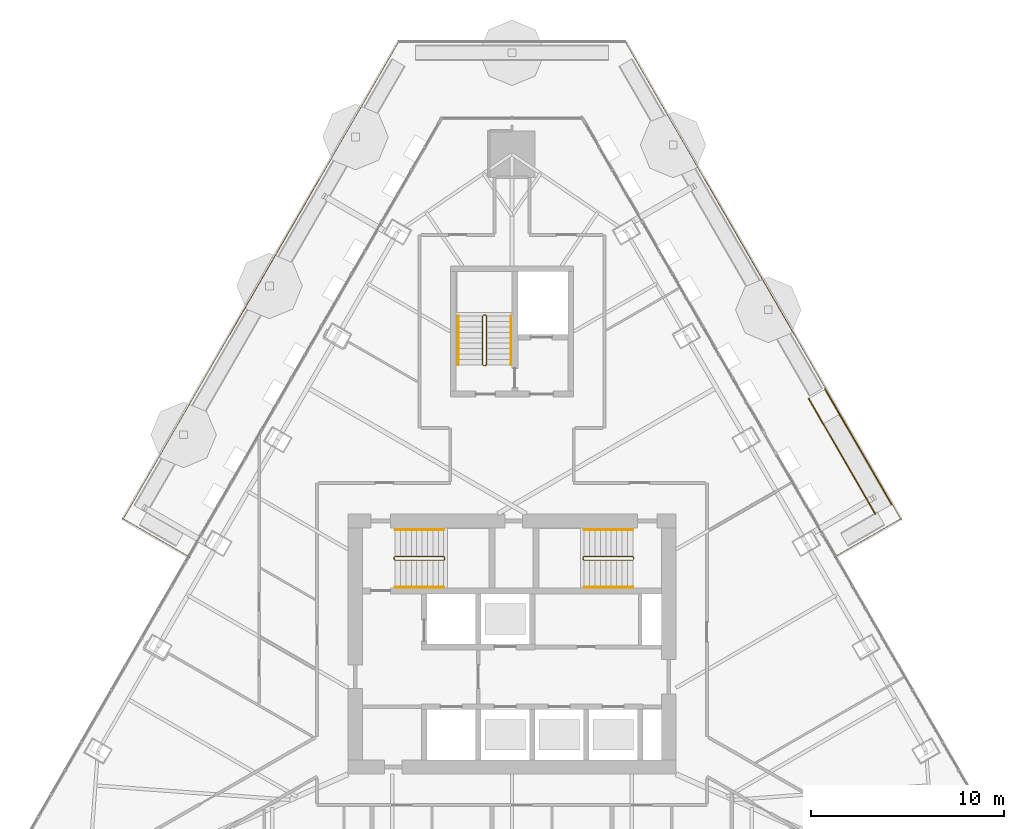
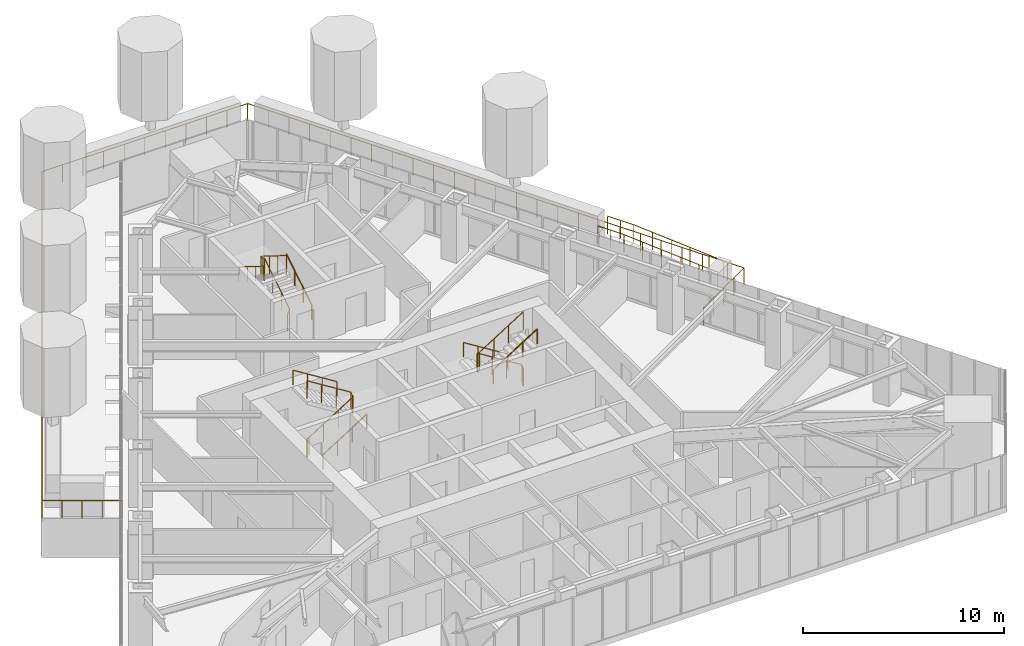
# One storey, part 20 of 22: 12 railings.
"""IFC4 building model written with IfcOpenShell, lengths in metres."""

from ifc_helpers import new_model, si_unit, direction, frame, origin, origin_2d, place, context, subcontext, project, spatial, circle, extrude, material, type_object, element, save


model = new_model("IFC4")

# Units and contexts
model_context = context("Model", 3, precision=1e-05, world=origin(), true_north=direction((0.0, 1.0)))
body_context = subcontext(model_context, "Body", "Model", "MODEL_VIEW")
ifc_project = project(units=[si_unit("LENGTHUNIT", "METRE"), si_unit("AREAUNIT", "SQUARE_METRE"), si_unit("VOLUMEUNIT", "CUBIC_METRE"), si_unit("PLANEANGLEUNIT", "RADIAN"), si_unit("MASSUNIT", "GRAM", prefix="KILO")], contexts=[model_context])

# Site, building, storey
site_placement = place(None, origin())
site = spatial("IfcSite", under=ifc_project, at=site_placement, CompositionType="ELEMENT")
building_placement = place(site_placement, origin())
building = spatial("IfcBuilding", under=site, at=building_placement, Name="Firuza Gate Tower and Library", CompositionType="ELEMENT")
storey_placement = place(building_placement, frame((0.0, 0.0, 295.10009765625)))
storey = spatial("IfcBuildingStorey", under=building, at=storey_placement, Name="L71", CompositionType="ELEMENT", Elevation=295.10009765625)

# Railings
ifc_material_1 = material(Name="Steel S355", Category="steel")
railing_type_1 = type_object("IfcRailingType", Name="Garden ramp guard 1100", PredefinedType="GUARDRAIL", material=ifc_material_1)
for number, where, name in (
    (1, (93.82568359375, 81.737548828125, 0.0498046875), "Ramp guard"),
    (2, (94.674560546875, 82.2275390625, 0.0498046875), "Ramp guard"),
):
    element("IfcRailing", number, at=place(storey_placement, frame(where)), inside=storey, type_object=railing_type_1, Name=name, PredefinedType="GUARDRAIL", context=body_context, shape_type="SweptSolid", body=[
        extrude(circle(Radius=0.02392578125, at=origin_2d()), frame((0.0, 0.0, 1.076171875), z_axis=(-0.49862797474, 0.863660263689, 0.073899199801), x_axis=(-0.866028230842, -0.499995103361, 0.0)), (0.0, 0.0, 1.0), 5.414794921875),
        extrude(circle(Radius=0.02392578125, at=origin_2d()), frame((-2.699951171875, 4.676513671875, 1.47607421875), z_axis=(-0.499990139034, 0.866031096941, 0.0), x_axis=(-0.866031096941, -0.499990139034, 0.0)), (0.0, 0.0, 1.0), 1.5),
        extrude(circle(Radius=0.02099609375, at=origin_2d()), origin(), (0.0, 0.0, 1.0), 1.052001953125),
        extrude(circle(Radius=0.02099609375, at=origin_2d()), frame((-0.5400390625, 0.935302734375, 0.080078125)), (0.0, 0.0, 1.0), 1.052001953125),
        extrude(circle(Radius=0.02099609375, at=origin_2d()), frame((-1.080078125, 1.87060546875, 0.16015625)), (0.0, 0.0, 1.0), 1.052001953125),
        extrude(circle(Radius=0.02099609375, at=origin_2d()), frame((-1.619873046875, 2.805908203125, 0.239990234375)), (0.0, 0.0, 1.0), 1.052001953125),
        extrude(circle(Radius=0.02099609375, at=origin_2d()), frame((-2.159912109375, 3.7412109375, 0.320068359375)), (0.0, 0.0, 1.0), 1.052001953125),
        extrude(circle(Radius=0.02099609375, at=origin_2d()), frame((-2.699951171875, 4.676513671875, 0.400146484375)), (0.0, 0.0, 1.0), 1.052001953125),
        extrude(circle(Radius=0.02099609375, at=origin_2d()), frame((-3.074951171875, 5.326171875, 0.400146484375)), (0.0, 0.0, 1.0), 1.052001953125),
        extrude(circle(Radius=0.02099609375, at=origin_2d()), frame((-3.449951171875, 5.9755859375, 0.400146484375)), (0.0, 0.0, 1.0), 1.052001953125),
    ])
ifc_material_2 = material(Name="Steel S355", Category="steel")
railing_type_2 = type_object("IfcRailingType", Name="Stair guard 1100", PredefinedType="GUARDRAIL", material=ifc_material_2)
railing_1_placement = place(storey_placement, frame((68.889892578125, 79.389892578125, 0.0)))
element("IfcRailing", 3, at=railing_1_placement, inside=storey, type_object=railing_type_2, Name="L71 ST1 stair guard 1", PredefinedType="GUARDRAIL", context=body_context, shape_type="SweptSolid", body=[
    extrude(circle(Radius=0.02392578125, at=origin_2d()), frame((0.0, 0.0, 1.076171875), z_axis=(0.0, 1.0, 0.0), x_axis=(-1.0, 0.0, 0.0)), (0.0, 0.0, 1.0), 0.10009765625),
    extrude(circle(Radius=0.02392578125, at=origin_2d()), frame((0.0, 0.10009765625, 1.076171875), z_axis=(0.212383695785, -0.636115069328, 0.741788908207), x_axis=(0.948528701346, 0.316691178788, 0.0)), (0.0, 0.0, 1.0), 0.235595703125),
    extrude(circle(Radius=0.02392578125, at=origin_2d()), frame((0.050048828125, -0.0498046875, 1.2509765625), z_axis=(0.847970611238, 0.0, 0.530043245855), x_axis=(0.0, 1.0, 0.0)), (0.0, 0.0, 1.0), 2.971923828125),
    extrude(circle(Radius=0.02392578125, at=origin_2d()), frame((2.570068359375, -0.0498046875, 2.826171875), z_axis=(0.708833529934, 0.705375805398, 0.0), x_axis=(-0.705375805398, 0.708833529934, 0.0)), (0.0, 0.0, 1.0), 0.070556640625),
    extrude(circle(Radius=0.02392578125, at=origin_2d()), frame((2.6201171875, 0.0, 2.826171875), z_axis=(0.0, 1.0, 0.0), x_axis=(-1.0, 0.0, 0.0)), (0.0, 0.0, 1.0), 0.10009765625),
    extrude(circle(Radius=0.02392578125, at=origin_2d()), frame((2.6201171875, 0.10009765625, 2.826171875), z_axis=(-0.265383341853, 0.265383341853, 0.926899867156), x_axis=(-0.707106781187, -0.707106781187, 0.0)), (0.0, 0.0, 1.0), 0.1884765625),
    extrude(circle(Radius=0.02392578125, at=origin_2d()), frame((2.570068359375, 0.150146484375, 3.0009765625), z_axis=(-0.847970611238, 0.0, 0.530043245855), x_axis=(0.0, -1.0, 0.0)), (0.0, 0.0, 1.0), 2.971923828125),
    extrude(circle(Radius=0.02099609375, at=origin_2d()), origin(), (0.0, 0.0, 1.0), 1.052001953125),
    extrude(circle(Radius=0.02099609375, at=origin_2d()), frame((0.0, 0.10009765625, 0.0)), (0.0, 0.0, 1.0), 1.052001953125),
    extrude(circle(Radius=0.02099609375, at=origin_2d()), frame((0.050048828125, -0.0498046875, 0.1748046875)), (0.0, 0.0, 1.0), 1.052001953125),
    extrude(circle(Radius=0.02099609375, at=origin_2d()), frame((0.89013671875, -0.0498046875, 0.699951171875)), (0.0, 0.0, 1.0), 1.052001953125),
    extrude(circle(Radius=0.02099609375, at=origin_2d()), frame((1.72998046875, -0.0498046875, 1.224853515625)), (0.0, 0.0, 1.0), 1.052001953125),
    extrude(circle(Radius=0.02099609375, at=origin_2d()), frame((2.570068359375, -0.0498046875, 1.75)), (0.0, 0.0, 1.0), 1.052001953125),
    extrude(circle(Radius=0.02099609375, at=origin_2d()), frame((2.6201171875, 0.0, 1.75)), (0.0, 0.0, 1.0), 1.052001953125),
    extrude(circle(Radius=0.02099609375, at=origin_2d()), frame((2.6201171875, 0.10009765625, 1.75)), (0.0, 0.0, 1.0), 1.052001953125),
    extrude(circle(Radius=0.02099609375, at=origin_2d()), frame((2.570068359375, 0.150146484375, 1.9248046875)), (0.0, 0.0, 1.0), 1.052001953125),
    extrude(circle(Radius=0.02099609375, at=origin_2d()), frame((1.72998046875, 0.150146484375, 2.449951171875)), (0.0, 0.0, 1.0), 1.052001953125),
    extrude(circle(Radius=0.02099609375, at=origin_2d()), frame((0.89013671875, 0.150146484375, 2.974853515625)), (0.0, 0.0, 1.0), 1.052001953125),
    extrude(circle(Radius=0.02099609375, at=origin_2d()), frame((0.050048828125, 0.150146484375, 3.5)), (0.0, 0.0, 1.0), 1.052001953125),
])
railing_2_placement = place(storey_placement, frame((81.31005859375, 79.489990234375, 0.0)))
element("IfcRailing", 4, at=railing_2_placement, inside=storey, type_object=railing_type_2, Name="L71 ST2 stair guard 1", PredefinedType="GUARDRAIL", context=body_context, shape_type="SweptSolid", body=[
    extrude(circle(Radius=0.02392578125, at=origin_2d()), frame((0.0, 0.0, 1.076171875), z_axis=(0.0, -1.0, 0.0), x_axis=(1.0, 0.0, 0.0)), (0.0, 0.0, 1.0), 0.10009765625),
    extrude(circle(Radius=0.02392578125, at=origin_2d()), frame((0.0, -0.10009765625, 1.076171875), z_axis=(-0.21224375372, 0.63673126116, 0.741300134944), x_axis=(-0.948683298051, -0.316227766017, 0.0)), (0.0, 0.0, 1.0), 0.23583984375),
    extrude(circle(Radius=0.02392578125, at=origin_2d()), frame((-0.050048828125, 0.050048828125, 1.2509765625), z_axis=(-0.847970611238, 0.0, 0.530043245855), x_axis=(0.0, -1.0, 0.0)), (0.0, 0.0, 1.0), 2.971923828125),
    extrude(circle(Radius=0.02392578125, at=origin_2d()), frame((-2.570068359375, 0.050048828125, 2.826171875), z_axis=(-0.707106781187, -0.707106781187, 0.0), x_axis=(0.707106781187, -0.707106781187, 0.0)), (0.0, 0.0, 1.0), 0.07080078125),
    extrude(circle(Radius=0.02392578125, at=origin_2d()), frame((-2.6201171875, 0.0, 2.826171875), z_axis=(0.0, -1.0, 0.0), x_axis=(1.0, 0.0, 0.0)), (0.0, 0.0, 1.0), 0.10009765625),
    extrude(circle(Radius=0.02392578125, at=origin_2d()), frame((-2.6201171875, -0.10009765625, 2.826171875), z_axis=(0.265474339444, -0.264179342666, 0.927217692888), x_axis=(0.705375805398, 0.708833529934, 0.0)), (0.0, 0.0, 1.0), 0.1884765625),
    extrude(circle(Radius=0.02392578125, at=origin_2d()), frame((-2.570068359375, -0.14990234375, 3.0009765625), z_axis=(0.847970611238, 0.0, 0.530043245855), x_axis=(0.0, 1.0, 0.0)), (0.0, 0.0, 1.0), 2.971923828125),
    extrude(circle(Radius=0.02099609375, at=origin_2d()), origin(), (0.0, 0.0, 1.0), 1.052001953125),
    extrude(circle(Radius=0.02099609375, at=origin_2d()), frame((0.0, -0.10009765625, 0.0)), (0.0, 0.0, 1.0), 1.052001953125),
    extrude(circle(Radius=0.02099609375, at=origin_2d()), frame((-0.050048828125, 0.050048828125, 0.1748046875)), (0.0, 0.0, 1.0), 1.052001953125),
    extrude(circle(Radius=0.02099609375, at=origin_2d()), frame((-0.89013671875, 0.050048828125, 0.699951171875)), (0.0, 0.0, 1.0), 1.052001953125),
    extrude(circle(Radius=0.02099609375, at=origin_2d()), frame((-1.72998046875, 0.050048828125, 1.224853515625)), (0.0, 0.0, 1.0), 1.052001953125),
    extrude(circle(Radius=0.02099609375, at=origin_2d()), frame((-2.570068359375, 0.050048828125, 1.75)), (0.0, 0.0, 1.0), 1.052001953125),
    extrude(circle(Radius=0.02099609375, at=origin_2d()), frame((-2.6201171875, 0.0, 1.75)), (0.0, 0.0, 1.0), 1.052001953125),
    extrude(circle(Radius=0.02099609375, at=origin_2d()), frame((-2.6201171875, -0.10009765625, 1.75)), (0.0, 0.0, 1.0), 1.052001953125),
    extrude(circle(Radius=0.02099609375, at=origin_2d()), frame((-2.570068359375, -0.14990234375, 1.9248046875)), (0.0, 0.0, 1.0), 1.052001953125),
    extrude(circle(Radius=0.02099609375, at=origin_2d()), frame((-1.72998046875, -0.14990234375, 2.449951171875)), (0.0, 0.0, 1.0), 1.052001953125),
    extrude(circle(Radius=0.02099609375, at=origin_2d()), frame((-0.89013671875, -0.14990234375, 2.974853515625)), (0.0, 0.0, 1.0), 1.052001953125),
    extrude(circle(Radius=0.02099609375, at=origin_2d()), frame((-0.050048828125, -0.14990234375, 3.5)), (0.0, 0.0, 1.0), 1.052001953125),
])
railing_3_placement = place(storey_placement, frame((73.6298828125, 89.419921875, 0.0)))
element("IfcRailing", 5, at=railing_3_placement, inside=storey, type_object=railing_type_2, Name="L71 ST3 stair guard 1", PredefinedType="GUARDRAIL", context=body_context, shape_type="SweptSolid", body=[
    extrude(circle(Radius=0.02392578125, at=origin_2d()), frame((0.0, 0.0, 1.076171875), z_axis=(-1.0, 0.0, 0.0), x_axis=(0.0, -1.0, 0.0)), (0.0, 0.0, 1.0), 0.099853515625),
    extrude(circle(Radius=0.02392578125, at=origin_2d()), frame((-0.099853515625, 0.0, 1.076171875), z_axis=(0.636115069328, 0.212383695785, 0.741788908207), x_axis=(-0.316691178788, 0.948528701346, 0.0)), (0.0, 0.0, 1.0), 0.235595703125),
    extrude(circle(Radius=0.02392578125, at=origin_2d()), frame((0.050048828125, 0.050048828125, 1.2509765625), z_axis=(0.0, 0.847970611238, 0.530043245855), x_axis=(-1.0, 0.0, 0.0)), (0.0, 0.0, 1.0), 2.971923828125),
    extrude(circle(Radius=0.02392578125, at=origin_2d()), frame((0.050048828125, 2.570068359375, 2.826171875), z_axis=(-0.707106781187, 0.707106781187, 0.0), x_axis=(-0.707106781187, -0.707106781187, 0.0)), (0.0, 0.0, 1.0), 0.07080078125),
    extrude(circle(Radius=0.02392578125, at=origin_2d()), frame((0.0, 2.6201171875, 2.826171875), z_axis=(-1.0, 0.0, 0.0), x_axis=(0.0, -1.0, 0.0)), (0.0, 0.0, 1.0), 0.099853515625),
    extrude(circle(Radius=0.02392578125, at=origin_2d()), frame((-0.099853515625, 2.6201171875, 2.826171875), z_axis=(-0.265383341853, -0.265383341853, 0.926899867156), x_axis=(0.707106781187, -0.707106781187, 0.0)), (0.0, 0.0, 1.0), 0.1884765625),
    extrude(circle(Radius=0.02392578125, at=origin_2d()), frame((-0.14990234375, 2.570068359375, 3.0009765625), z_axis=(0.0, -0.847970611238, 0.530043245855), x_axis=(1.0, 0.0, 0.0)), (0.0, 0.0, 1.0), 2.971923828125),
    extrude(circle(Radius=0.02099609375, at=origin_2d()), origin(), (0.0, 0.0, 1.0), 1.052001953125),
    extrude(circle(Radius=0.02099609375, at=origin_2d()), frame((-0.099853515625, 0.0, 0.0)), (0.0, 0.0, 1.0), 1.052001953125),
    extrude(circle(Radius=0.02099609375, at=origin_2d()), frame((0.050048828125, 0.050048828125, 0.1748046875)), (0.0, 0.0, 1.0), 1.052001953125),
    extrude(circle(Radius=0.02099609375, at=origin_2d()), frame((0.050048828125, 0.89013671875, 0.699951171875)), (0.0, 0.0, 1.0), 1.052001953125),
    extrude(circle(Radius=0.02099609375, at=origin_2d()), frame((0.050048828125, 1.72998046875, 1.224853515625)), (0.0, 0.0, 1.0), 1.052001953125),
    extrude(circle(Radius=0.02099609375, at=origin_2d()), frame((0.050048828125, 2.570068359375, 1.75)), (0.0, 0.0, 1.0), 1.052001953125),
    extrude(circle(Radius=0.02099609375, at=origin_2d()), frame((0.0, 2.6201171875, 1.75)), (0.0, 0.0, 1.0), 1.052001953125),
    extrude(circle(Radius=0.02099609375, at=origin_2d()), frame((-0.099853515625, 2.6201171875, 1.75)), (0.0, 0.0, 1.0), 1.052001953125),
    extrude(circle(Radius=0.02099609375, at=origin_2d()), frame((-0.14990234375, 2.570068359375, 1.9248046875)), (0.0, 0.0, 1.0), 1.052001953125),
    extrude(circle(Radius=0.02099609375, at=origin_2d()), frame((-0.14990234375, 1.72998046875, 2.449951171875)), (0.0, 0.0, 1.0), 1.052001953125),
    extrude(circle(Radius=0.02099609375, at=origin_2d()), frame((-0.14990234375, 0.89013671875, 2.974853515625)), (0.0, 0.0, 1.0), 1.052001953125),
    extrude(circle(Radius=0.02099609375, at=origin_2d()), frame((-0.14990234375, 0.050048828125, 3.5)), (0.0, 0.0, 1.0), 1.052001953125),
])
ifc_material_3 = material(Name="Steel S355", Category="steel")
railing_type_3 = type_object("IfcRailingType", Name="Stair handrail 900", PredefinedType="HANDRAIL", material=ifc_material_3)
railing_4_placement = place(storey_placement, frame((68.93994140625, 77.949951171875, 0.1748046875)))
element("IfcRailing", 6, at=railing_4_placement, inside=storey, type_object=railing_type_3, Name="L71 ST1 stair handrail 1", PredefinedType="HANDRAIL", context=body_context, shape_type="SweptSolid", body=[
    extrude(circle(Radius=0.02392578125, at=origin_2d()), frame((0.0, 0.0, 0.8759765625), z_axis=(0.847970611238, 0.0, 0.530043245855), x_axis=(0.0, 1.0, 0.0)), (0.0, 0.0, 1.0), 2.971923828125),
    extrude(circle(Radius=0.02099609375, at=origin_2d()), origin(), (0.0, 0.0, 1.0), 0.851806640625),
    extrude(circle(Radius=0.02099609375, at=origin_2d()), frame((0.840087890625, 0.0, 0.525146484375)), (0.0, 0.0, 1.0), 0.851806640625),
    extrude(circle(Radius=0.02099609375, at=origin_2d()), frame((1.679931640625, 0.0, 1.050048828125)), (0.0, 0.0, 1.0), 0.851806640625),
    extrude(circle(Radius=0.02099609375, at=origin_2d()), frame((2.52001953125, 0.0, 1.5751953125)), (0.0, 0.0, 1.0), 0.851806640625),
])
for number, where, name in (
    (7, (71.4599609375, 80.929931640625, 1.9248046875), "L71 ST1 stair handrail 2"),
    (8, (81.260009765625, 80.929931640625, 0.1748046875), "L71 ST2 stair handrail 1"),
):
    element("IfcRailing", number, at=place(storey_placement, frame(where)), inside=storey, type_object=railing_type_3, Name=name, PredefinedType="HANDRAIL", context=body_context, shape_type="SweptSolid", body=[
        extrude(circle(Radius=0.02392578125, at=origin_2d()), frame((0.0, 0.0, 0.8759765625), z_axis=(-0.847970611238, 0.0, 0.530043245855), x_axis=(0.0, -1.0, 0.0)), (0.0, 0.0, 1.0), 2.971923828125),
        extrude(circle(Radius=0.02099609375, at=origin_2d()), origin(), (0.0, 0.0, 1.0), 0.851806640625),
        extrude(circle(Radius=0.02099609375, at=origin_2d()), frame((-0.840087890625, 0.0, 0.525146484375)), (0.0, 0.0, 1.0), 0.851806640625),
        extrude(circle(Radius=0.02099609375, at=origin_2d()), frame((-1.679931640625, 0.0, 1.050048828125)), (0.0, 0.0, 1.0), 0.851806640625),
        extrude(circle(Radius=0.02099609375, at=origin_2d()), frame((-2.52001953125, 0.0, 1.5751953125)), (0.0, 0.0, 1.0), 0.851806640625),
    ])
railing_5_placement = place(storey_placement, frame((78.739990234375, 77.949951171875, 1.9248046875)))
element("IfcRailing", 9, at=railing_5_placement, inside=storey, type_object=railing_type_3, Name="L71 ST2 stair handrail 2", PredefinedType="HANDRAIL", context=body_context, shape_type="SweptSolid", body=[
    extrude(circle(Radius=0.02392578125, at=origin_2d()), frame((0.0, 0.0, 0.8759765625), z_axis=(0.847970611238, 0.0, 0.530043245855), x_axis=(0.0, 1.0, 0.0)), (0.0, 0.0, 1.0), 2.971923828125),
    extrude(circle(Radius=0.02099609375, at=origin_2d()), origin(), (0.0, 0.0, 1.0), 0.851806640625),
    extrude(circle(Radius=0.02099609375, at=origin_2d()), frame((0.840087890625, 0.0, 0.525146484375)), (0.0, 0.0, 1.0), 0.851806640625),
    extrude(circle(Radius=0.02099609375, at=origin_2d()), frame((1.679931640625, 0.0, 1.050048828125)), (0.0, 0.0, 1.0), 0.851806640625),
    extrude(circle(Radius=0.02099609375, at=origin_2d()), frame((2.52001953125, 0.0, 1.5751953125)), (0.0, 0.0, 1.0), 0.851806640625),
])
railing_6_placement = place(storey_placement, frame((74.949951171875, 89.469970703125, 0.1748046875)))
element("IfcRailing", 10, at=railing_6_placement, inside=storey, type_object=railing_type_3, Name="L71 ST3 stair handrail 1", PredefinedType="HANDRAIL", context=body_context, shape_type="SweptSolid", body=[
    extrude(circle(Radius=0.02392578125, at=origin_2d()), frame((0.0, 0.0, 0.8759765625), z_axis=(0.0, 0.847970611238, 0.530043245855), x_axis=(-1.0, 0.0, 0.0)), (0.0, 0.0, 1.0), 2.971923828125),
    extrude(circle(Radius=0.02099609375, at=origin_2d()), origin(), (0.0, 0.0, 1.0), 0.851806640625),
    extrude(circle(Radius=0.02099609375, at=origin_2d()), frame((0.0, 0.840087890625, 0.525146484375)), (0.0, 0.0, 1.0), 0.851806640625),
    extrude(circle(Radius=0.02099609375, at=origin_2d()), frame((0.0, 1.679931640625, 1.050048828125)), (0.0, 0.0, 1.0), 0.851806640625),
    extrude(circle(Radius=0.02099609375, at=origin_2d()), frame((0.0, 2.52001953125, 1.5751953125)), (0.0, 0.0, 1.0), 0.851806640625),
])
railing_7_placement = place(storey_placement, frame((72.2099609375, 91.989990234375, 1.9248046875)))
element("IfcRailing", 11, at=railing_7_placement, inside=storey, type_object=railing_type_3, Name="L71 ST3 stair handrail 2", PredefinedType="HANDRAIL", context=body_context, shape_type="SweptSolid", body=[
    extrude(circle(Radius=0.02392578125, at=origin_2d()), frame((0.0, 0.0, 0.8759765625), z_axis=(0.0, -0.847970611238, 0.530043245855), x_axis=(1.0, 0.0, 0.0)), (0.0, 0.0, 1.0), 2.971923828125),
    extrude(circle(Radius=0.02099609375, at=origin_2d()), origin(), (0.0, 0.0, 1.0), 0.851806640625),
    extrude(circle(Radius=0.02099609375, at=origin_2d()), frame((0.0, -0.840087890625, 0.525146484375)), (0.0, 0.0, 1.0), 0.851806640625),
    extrude(circle(Radius=0.02099609375, at=origin_2d()), frame((0.0, -1.679931640625, 1.050048828125)), (0.0, 0.0, 1.0), 0.851806640625),
    extrude(circle(Radius=0.02099609375, at=origin_2d()), frame((0.0, -2.52001953125, 1.5751953125)), (0.0, 0.0, 1.0), 0.851806640625),
])
ifc_material_4 = material(Name="Steel S355", Category="steel")
railing_type_4 = type_object("IfcRailingType", Name="Terrace guard 1100", PredefinedType="GUARDRAIL", material=ifc_material_4)
railing_8_placement = place(storey_placement, frame((91.71240234375, 79.47802734375, 0.0)))
element("IfcRailing", 12, at=railing_8_placement, inside=storey, type_object=railing_type_4, Name="Tray guard L71", PredefinedType="GUARDRAIL", context=body_context, shape_type="SweptSolid", body=[
    extrude(circle(Radius=0.02392578125, at=origin_2d()), frame((0.0, 0.0, 1.076171875), z_axis=(0.866026010844, 0.49999894854, 0.0), x_axis=(-0.49999894854, 0.866026010844, 0.0)), (0.0, 0.0, 1.0), 4.0),
    extrude(circle(Radius=0.02392578125, at=origin_2d()), frame((3.464111328125, 2.0, 1.076171875), z_axis=(-0.499998462818, 0.866026291275, 0.0), x_axis=(-0.866026291275, -0.499998462818, 0.0)), (0.0, 0.0, 1.0), 28.5341796875),
    extrude(circle(Radius=0.02392578125, at=origin_2d()), frame((-10.802978515625, 26.71142578125, 1.076171875), z_axis=(-1.0, 0.0, 0.0), x_axis=(0.0, -1.0, 0.0)), (0.0, 0.0, 1.0), 11.81884765625),
    extrude(circle(Radius=0.02392578125, at=origin_2d()), frame((-22.621826171875, 26.71142578125, 1.076171875), z_axis=(-0.499998462818, -0.866026291275, 0.0), x_axis=(0.866026291275, -0.499998462818, 0.0)), (0.0, 0.0, 1.0), 28.5341796875),
    extrude(circle(Radius=0.02392578125, at=origin_2d()), frame((-36.888916015625, 2.0, 1.076171875), z_axis=(0.866026010844, -0.49999894854, 0.0), x_axis=(0.49999894854, 0.866026010844, 0.0)), (0.0, 0.0, 1.0), 4.0),
    extrude(circle(Radius=0.02099609375, at=origin_2d()), origin(), (0.0, 0.0, 1.0), 1.052001953125),
    extrude(circle(Radius=0.02099609375, at=origin_2d()), frame((0.865966796875, 0.5, 0.0)), (0.0, 0.0, 1.0), 1.052001953125),
    extrude(circle(Radius=0.02099609375, at=origin_2d()), frame((1.73193359375, 1.0, 0.0)), (0.0, 0.0, 1.0), 1.052001953125),
    extrude(circle(Radius=0.02099609375, at=origin_2d()), frame((2.59814453125, 1.5, 0.0)), (0.0, 0.0, 1.0), 1.052001953125),
    extrude(circle(Radius=0.02099609375, at=origin_2d()), frame((3.464111328125, 2.0, 0.0)), (0.0, 0.0, 1.0), 1.052001953125),
    extrude(circle(Radius=0.02099609375, at=origin_2d()), frame((2.86962890625, 3.029541015625, 0.0)), (0.0, 0.0, 1.0), 1.052001953125),
    extrude(circle(Radius=0.02099609375, at=origin_2d()), frame((2.275146484375, 4.059326171875, 0.0)), (0.0, 0.0, 1.0), 1.052001953125),
    extrude(circle(Radius=0.02099609375, at=origin_2d()), frame((1.6806640625, 5.0888671875, 0.0)), (0.0, 0.0, 1.0), 1.052001953125),
    extrude(circle(Radius=0.02099609375, at=origin_2d()), frame((1.086181640625, 6.11865234375, 0.0)), (0.0, 0.0, 1.0), 1.052001953125),
    extrude(circle(Radius=0.02099609375, at=origin_2d()), frame((0.49169921875, 7.148193359375, 0.0)), (0.0, 0.0, 1.0), 1.052001953125),
    extrude(circle(Radius=0.02099609375, at=origin_2d()), frame((-0.1025390625, 8.177734375, 0.0)), (0.0, 0.0, 1.0), 1.052001953125),
    extrude(circle(Radius=0.02099609375, at=origin_2d()), frame((-0.697021484375, 9.20751953125, 0.0)), (0.0, 0.0, 1.0), 1.052001953125),
    extrude(circle(Radius=0.02099609375, at=origin_2d()), frame((-1.29150390625, 10.237060546875, 0.0)), (0.0, 0.0, 1.0), 1.052001953125),
    extrude(circle(Radius=0.02099609375, at=origin_2d()), frame((-1.885986328125, 11.266845703125, 0.0)), (0.0, 0.0, 1.0), 1.052001953125),
    extrude(circle(Radius=0.02099609375, at=origin_2d()), frame((-2.48046875, 12.29638671875, 0.0)), (0.0, 0.0, 1.0), 1.052001953125),
    extrude(circle(Radius=0.02099609375, at=origin_2d()), frame((-3.074951171875, 13.326171875, 0.0)), (0.0, 0.0, 1.0), 1.052001953125),
    extrude(circle(Radius=0.02099609375, at=origin_2d()), frame((-3.66943359375, 14.355712890625, 0.0)), (0.0, 0.0, 1.0), 1.052001953125),
    extrude(circle(Radius=0.02099609375, at=origin_2d()), frame((-4.263916015625, 15.38525390625, 0.0)), (0.0, 0.0, 1.0), 1.052001953125),
    extrude(circle(Radius=0.02099609375, at=origin_2d()), frame((-4.8583984375, 16.4150390625, 0.0)), (0.0, 0.0, 1.0), 1.052001953125),
    extrude(circle(Radius=0.02099609375, at=origin_2d()), frame((-5.452880859375, 17.444580078125, 0.0)), (0.0, 0.0, 1.0), 1.052001953125),
    extrude(circle(Radius=0.02099609375, at=origin_2d()), frame((-6.04736328125, 18.474365234375, 0.0)), (0.0, 0.0, 1.0), 1.052001953125),
    extrude(circle(Radius=0.02099609375, at=origin_2d()), frame((-6.641845703125, 19.50390625, 0.0)), (0.0, 0.0, 1.0), 1.052001953125),
    extrude(circle(Radius=0.02099609375, at=origin_2d()), frame((-7.236328125, 20.53369140625, 0.0)), (0.0, 0.0, 1.0), 1.052001953125),
    extrude(circle(Radius=0.02099609375, at=origin_2d()), frame((-7.83056640625, 21.563232421875, 0.0)), (0.0, 0.0, 1.0), 1.052001953125),
    extrude(circle(Radius=0.02099609375, at=origin_2d()), frame((-8.425048828125, 22.5927734375, 0.0)), (0.0, 0.0, 1.0), 1.052001953125),
    extrude(circle(Radius=0.02099609375, at=origin_2d()), frame((-9.01953125, 23.62255859375, 0.0)), (0.0, 0.0, 1.0), 1.052001953125),
    extrude(circle(Radius=0.02099609375, at=origin_2d()), frame((-9.614013671875, 24.652099609375, 0.0)), (0.0, 0.0, 1.0), 1.052001953125),
    extrude(circle(Radius=0.02099609375, at=origin_2d()), frame((-10.20849609375, 25.681884765625, 0.0)), (0.0, 0.0, 1.0), 1.052001953125),
    extrude(circle(Radius=0.02099609375, at=origin_2d()), frame((-10.802978515625, 26.71142578125, 0.0)), (0.0, 0.0, 1.0), 1.052001953125),
    extrude(circle(Radius=0.02099609375, at=origin_2d()), frame((-11.98486328125, 26.71142578125, 0.0)), (0.0, 0.0, 1.0), 1.052001953125),
    extrude(circle(Radius=0.02099609375, at=origin_2d()), frame((-13.166748046875, 26.71142578125, 0.0)), (0.0, 0.0, 1.0), 1.052001953125),
    extrude(circle(Radius=0.02099609375, at=origin_2d()), frame((-14.3486328125, 26.71142578125, 0.0)), (0.0, 0.0, 1.0), 1.052001953125),
    extrude(circle(Radius=0.02099609375, at=origin_2d()), frame((-15.530517578125, 26.71142578125, 0.0)), (0.0, 0.0, 1.0), 1.052001953125),
    extrude(circle(Radius=0.02099609375, at=origin_2d()), frame((-16.71240234375, 26.71142578125, 0.0)), (0.0, 0.0, 1.0), 1.052001953125),
    extrude(circle(Radius=0.02099609375, at=origin_2d()), frame((-17.894287109375, 26.71142578125, 0.0)), (0.0, 0.0, 1.0), 1.052001953125),
    extrude(circle(Radius=0.02099609375, at=origin_2d()), frame((-19.076171875, 26.71142578125, 0.0)), (0.0, 0.0, 1.0), 1.052001953125),
    extrude(circle(Radius=0.02099609375, at=origin_2d()), frame((-20.258056640625, 26.71142578125, 0.0)), (0.0, 0.0, 1.0), 1.052001953125),
    extrude(circle(Radius=0.02099609375, at=origin_2d()), frame((-21.43994140625, 26.71142578125, 0.0)), (0.0, 0.0, 1.0), 1.052001953125),
    extrude(circle(Radius=0.02099609375, at=origin_2d()), frame((-22.621826171875, 26.71142578125, 0.0)), (0.0, 0.0, 1.0), 1.052001953125),
    extrude(circle(Radius=0.02099609375, at=origin_2d()), frame((-23.21630859375, 25.681884765625, 0.0)), (0.0, 0.0, 1.0), 1.052001953125),
    extrude(circle(Radius=0.02099609375, at=origin_2d()), frame((-23.810791015625, 24.652099609375, 0.0)), (0.0, 0.0, 1.0), 1.052001953125),
    extrude(circle(Radius=0.02099609375, at=origin_2d()), frame((-24.4052734375, 23.62255859375, 0.0)), (0.0, 0.0, 1.0), 1.052001953125),
    extrude(circle(Radius=0.02099609375, at=origin_2d()), frame((-24.999755859375, 22.5927734375, 0.0)), (0.0, 0.0, 1.0), 1.052001953125),
    extrude(circle(Radius=0.02099609375, at=origin_2d()), frame((-25.59423828125, 21.563232421875, 0.0)), (0.0, 0.0, 1.0), 1.052001953125),
    extrude(circle(Radius=0.02099609375, at=origin_2d()), frame((-26.1884765625, 20.53369140625, 0.0)), (0.0, 0.0, 1.0), 1.052001953125),
    extrude(circle(Radius=0.02099609375, at=origin_2d()), frame((-26.782958984375, 19.50390625, 0.0)), (0.0, 0.0, 1.0), 1.052001953125),
    extrude(circle(Radius=0.02099609375, at=origin_2d()), frame((-27.37744140625, 18.474365234375, 0.0)), (0.0, 0.0, 1.0), 1.052001953125),
    extrude(circle(Radius=0.02099609375, at=origin_2d()), frame((-27.971923828125, 17.444580078125, 0.0)), (0.0, 0.0, 1.0), 1.052001953125),
    extrude(circle(Radius=0.02099609375, at=origin_2d()), frame((-28.56640625, 16.4150390625, 0.0)), (0.0, 0.0, 1.0), 1.052001953125),
    extrude(circle(Radius=0.02099609375, at=origin_2d()), frame((-29.160888671875, 15.38525390625, 0.0)), (0.0, 0.0, 1.0), 1.052001953125),
    extrude(circle(Radius=0.02099609375, at=origin_2d()), frame((-29.75537109375, 14.355712890625, 0.0)), (0.0, 0.0, 1.0), 1.052001953125),
    extrude(circle(Radius=0.02099609375, at=origin_2d()), frame((-30.349853515625, 13.326171875, 0.0)), (0.0, 0.0, 1.0), 1.052001953125),
    extrude(circle(Radius=0.02099609375, at=origin_2d()), frame((-30.9443359375, 12.29638671875, 0.0)), (0.0, 0.0, 1.0), 1.052001953125),
    extrude(circle(Radius=0.02099609375, at=origin_2d()), frame((-31.538818359375, 11.266845703125, 0.0)), (0.0, 0.0, 1.0), 1.052001953125),
    extrude(circle(Radius=0.02099609375, at=origin_2d()), frame((-32.13330078125, 10.237060546875, 0.0)), (0.0, 0.0, 1.0), 1.052001953125),
    extrude(circle(Radius=0.02099609375, at=origin_2d()), frame((-32.727783203125, 9.20751953125, 0.0)), (0.0, 0.0, 1.0), 1.052001953125),
    extrude(circle(Radius=0.02099609375, at=origin_2d()), frame((-33.322265625, 8.177734375, 0.0)), (0.0, 0.0, 1.0), 1.052001953125),
    extrude(circle(Radius=0.02099609375, at=origin_2d()), frame((-33.91650390625, 7.148193359375, 0.0)), (0.0, 0.0, 1.0), 1.052001953125),
    extrude(circle(Radius=0.02099609375, at=origin_2d()), frame((-34.510986328125, 6.11865234375, 0.0)), (0.0, 0.0, 1.0), 1.052001953125),
    extrude(circle(Radius=0.02099609375, at=origin_2d()), frame((-35.10546875, 5.0888671875, 0.0)), (0.0, 0.0, 1.0), 1.052001953125),
    extrude(circle(Radius=0.02099609375, at=origin_2d()), frame((-35.699951171875, 4.059326171875, 0.0)), (0.0, 0.0, 1.0), 1.052001953125),
    extrude(circle(Radius=0.02099609375, at=origin_2d()), frame((-36.29443359375, 3.029541015625, 0.0)), (0.0, 0.0, 1.0), 1.052001953125),
    extrude(circle(Radius=0.02099609375, at=origin_2d()), frame((-36.888916015625, 2.0, 0.0)), (0.0, 0.0, 1.0), 1.052001953125),
    extrude(circle(Radius=0.02099609375, at=origin_2d()), frame((-36.02294921875, 1.5, 0.0)), (0.0, 0.0, 1.0), 1.052001953125),
    extrude(circle(Radius=0.02099609375, at=origin_2d()), frame((-35.15673828125, 1.0, 0.0)), (0.0, 0.0, 1.0), 1.052001953125),
    extrude(circle(Radius=0.02099609375, at=origin_2d()), frame((-34.290771484375, 0.5, 0.0)), (0.0, 0.0, 1.0), 1.052001953125),
    extrude(circle(Radius=0.02099609375, at=origin_2d()), frame((-33.4248046875, 0.0, 0.0)), (0.0, 0.0, 1.0), 1.052001953125),
])

save(model, "model.ifc")
